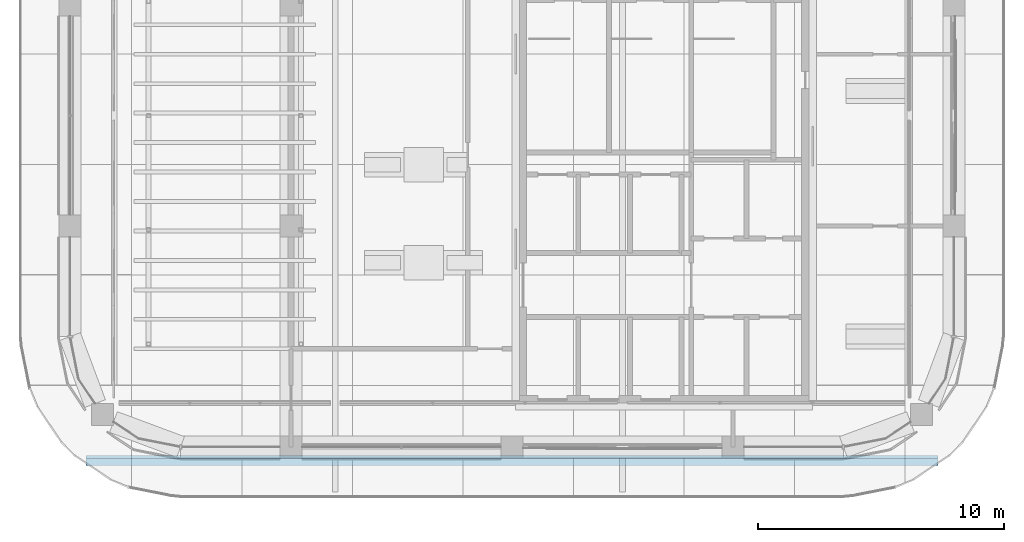
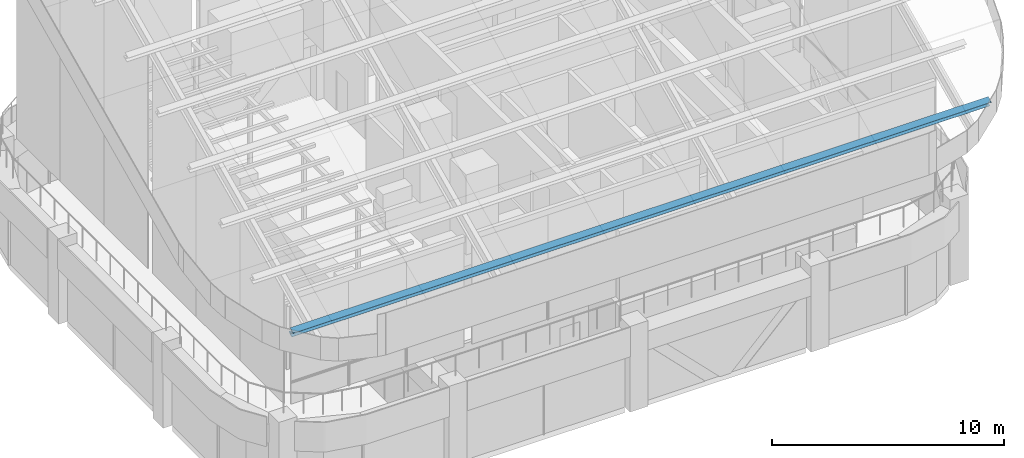
# One storey, part 10 of 31: 1 member.
"""IFC4 building model written with IfcOpenShell, lengths in metres."""

from ifc_helpers import new_model, si_unit, direction, frame, origin, origin_2d, place, context, subcontext, project, spatial, i_section, extrude, material, material_profile, profile_set, type_object, element, save


model = new_model("IFC4")

# Units and contexts
model_context = context("Model", 3, precision=1e-05, world=origin(), true_north=direction((0.0, 1.0)))
body_context = subcontext(model_context, "Body", "Model", "MODEL_VIEW")
ifc_project = project(units=[si_unit("LENGTHUNIT", "METRE"), si_unit("AREAUNIT", "SQUARE_METRE"), si_unit("VOLUMEUNIT", "CUBIC_METRE"), si_unit("PLANEANGLEUNIT", "RADIAN"), si_unit("MASSUNIT", "GRAM", prefix="KILO")], contexts=[model_context])

# Site, building, storey
site_placement = place(None, origin())
site = spatial("IfcSite", under=ifc_project, at=site_placement, CompositionType="ELEMENT")
building_placement = place(site_placement, origin())
building = spatial("IfcBuilding", under=site, at=building_placement, Name="Tessera Arch", CompositionType="ELEMENT")
storey_placement = place(building_placement, frame((0.0, 0.0, 320.699951171875)))
storey = spatial("IfcBuildingStorey", under=building, at=storey_placement, Name="L77", CompositionType="ELEMENT", Elevation=320.699951171875)

# Member
ifc_material = material(Name="Steel A992 Gr50", Category="steel")
ifc_material_profile = material_profile(ifc_material, i_section(OverallWidth=0.3046875, OverallDepth=0.307861328125, WebThickness=0.010009765625, FlangeThickness=0.015380859375, at=origin_2d()), Name="W12x65")
ifc_profile_set = profile_set([ifc_material_profile], Name="Steel A992 Gr50")
member_type = type_object("IfcMemberType", Name="Canopy purlin W12x65", PredefinedType="PURLIN", material=ifc_profile_set)
member_placement = place(storey_placement, frame((18.6494140625, 26.458251953125, 10.16650390625), z_axis=(1.0, 0.0, 0.0), x_axis=(0.0, 0.906307787037, 0.422618261741)))
element("IfcMember", 1, at=member_placement, inside=storey, type_object=member_type, Name="Canopy purlin 1", PredefinedType="PURLIN", context=body_context, shape_type="SweptSolid", body=[
    extrude(i_section(OverallWidth=0.3046875, OverallDepth=0.307861328125, WebThickness=0.010009765625, FlangeThickness=0.015380859375, at=origin_2d()), origin(), (0.0, 0.0, 1.0), 34.701171875),
])

save(model, "model.ifc")
